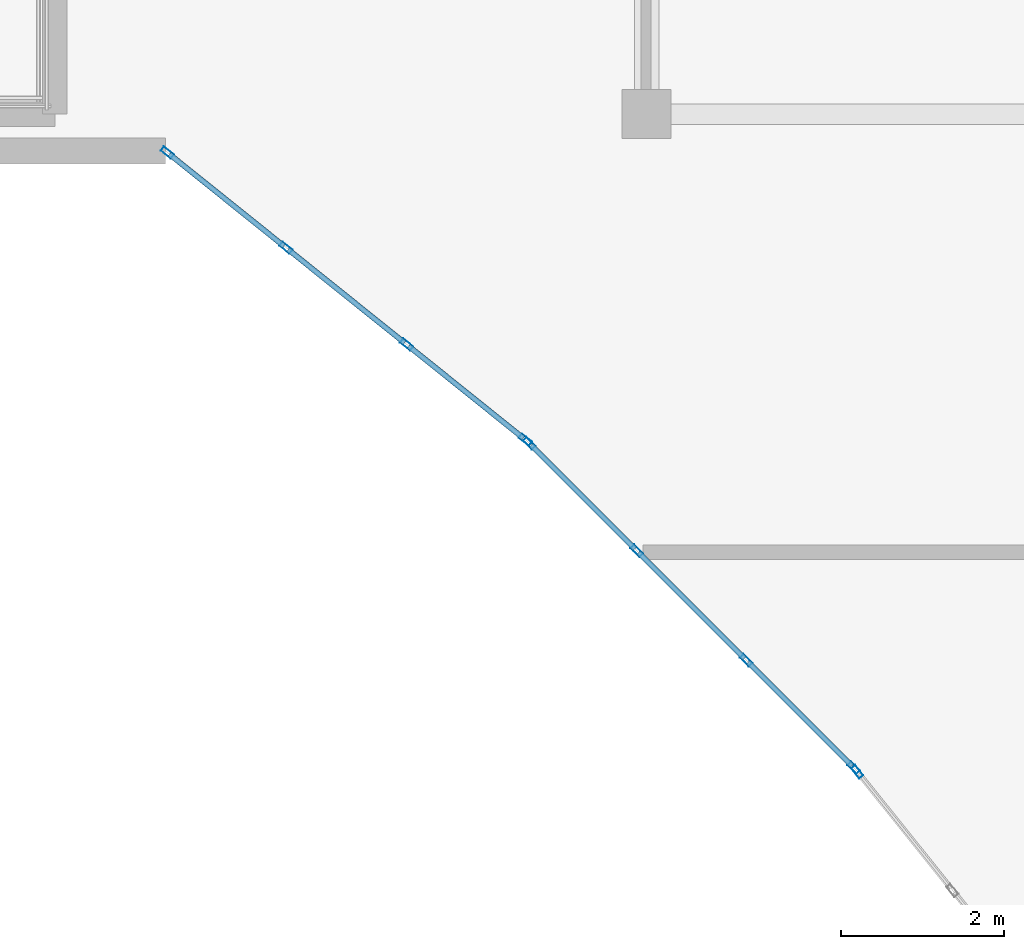
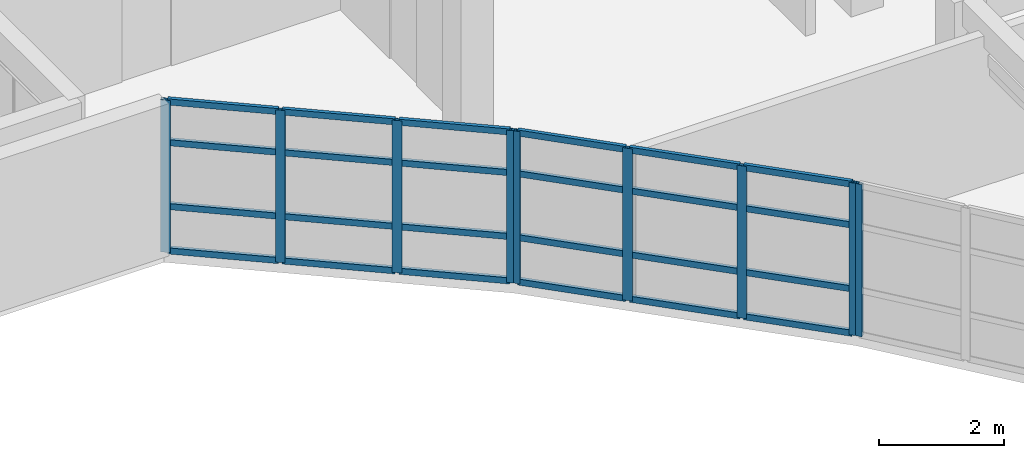
# One storey, part 18 of 71: 33 members, 3 elements without a shape of their own.
"""IFC4 building model written with IfcOpenShell, lengths in metres."""

from ifc_helpers import new_model, si_unit, direction, frame, origin, origin_2d, place, context, subcontext, project, spatial, hollow_rectangle, extrude, material, layer, layer_set, material_profile, profile_set, type_object, element, aggregate, save


model = new_model("IFC4")

# Units and contexts
model_context = context("Model", 3, precision=1e-05, world=origin(), true_north=direction((0.0, 1.0)))
body_context = subcontext(model_context, "Body", "Model", "MODEL_VIEW")
ifc_project = project(units=[si_unit("LENGTHUNIT", "METRE"), si_unit("AREAUNIT", "SQUARE_METRE"), si_unit("VOLUMEUNIT", "CUBIC_METRE"), si_unit("PLANEANGLEUNIT", "RADIAN"), si_unit("MASSUNIT", "GRAM", prefix="KILO")], contexts=[model_context])

# Site, building, storey
site_placement = place(None, origin())
site = spatial("IfcSite", under=ifc_project, at=site_placement, CompositionType="ELEMENT")
building_placement = place(site_placement, origin())
building = spatial("IfcBuilding", under=site, at=building_placement, Name="Keldmere Railside Commons", CompositionType="ELEMENT")
storey_placement = place(building_placement, frame((0.0, 0.0, 20.159912109375)))
storey = spatial("IfcBuildingStorey", under=building, at=storey_placement, Name="L06", CompositionType="ELEMENT", Elevation=20.159912109375)

# Curtain wall, members
ifc_material = material(Name="Thermally Broken Aluminium", Category="aluminium")
ifc_layer_1 = layer(ifc_material, 0.159912109375, Name="Court Chord Wintergarden CW 5400x2850")
ifc_layer_set_1 = layer_set([ifc_layer_1], Name="Thermally Broken Aluminium")
curtain_wall_type_1 = type_object("IfcCurtainWallType", Name="Court Chord Wintergarden CW 5400x2850", PredefinedType="NOTDEFINED", material=ifc_layer_set_1)
curtain_wall_1_placement = place(storey_placement, origin())
curtain_wall_1 = element("IfcCurtainWall", 1, at=curtain_wall_1_placement, inside=storey, type_object=curtain_wall_type_1, Name="CW-13 CW-L06-175", PredefinedType="NOTDEFINED")
ifc_material_profile_1 = material_profile(ifc_material, hollow_rectangle(XDim=0.06494140625, YDim=0.159912109375, WallThickness=0.00390625, at=origin_2d()), Name="ALU-MULL-65x160")
ifc_profile_set_1 = profile_set([ifc_material_profile_1], Name="Thermally Broken Aluminium")
member_type_1 = type_object("IfcMemberType", Name="Unitised Curtain Wall Mullion 65x160", PredefinedType="MULLION", material=ifc_profile_set_1)
member_1_placement = place(storey_placement, frame((160.404541015625, 96.46630859375, 0.0), z_axis=(0.0, 0.0, 1.0), x_axis=(-0.625768080915, -0.780009172323, 0.0)))
member_1 = element("IfcMember", 2, at=member_1_placement, type_object=member_type_1, Name="CW-13 mullion 1", PredefinedType="MULLION", context=body_context, shape_type="SweptSolid", body=[
    extrude(hollow_rectangle(XDim=0.06494140625, YDim=0.159912109375, WallThickness=0.00390625, at=origin_2d()), origin(), (0.0, 0.0, 1.0), 2.97998046875),
])
member_2_placement = place(storey_placement, frame((158.953369140625, 97.630615234375, 0.0), z_axis=(0.0, 0.0, 1.0), x_axis=(-0.625768080915, -0.780009172323, 0.0)))
member_2 = element("IfcMember", 3, at=member_2_placement, type_object=member_type_1, Name="CW-13 mullion 2", PredefinedType="MULLION", context=body_context, shape_type="SweptSolid", body=[
    extrude(hollow_rectangle(XDim=0.06494140625, YDim=0.159912109375, WallThickness=0.00390625, at=origin_2d()), origin(), (0.0, 0.0, 1.0), 2.97998046875),
])
member_3_placement = place(storey_placement, frame((157.4765625, 98.8154296875, 0.0), z_axis=(0.0, 0.0, 1.0), x_axis=(-0.625768080915, -0.780009172323, 0.0)))
member_3 = element("IfcMember", 4, at=member_3_placement, type_object=member_type_1, Name="CW-13 mullion 3", PredefinedType="MULLION", context=body_context, shape_type="SweptSolid", body=[
    extrude(hollow_rectangle(XDim=0.06494140625, YDim=0.159912109375, WallThickness=0.00390625, at=origin_2d()), origin(), (0.0, 0.0, 1.0), 2.97998046875),
])
member_4_placement = place(storey_placement, frame((156.025390625, 99.979736328125, 0.0), z_axis=(0.0, 0.0, 1.0), x_axis=(-0.625768080915, -0.780009172323, 0.0)))
member_4 = element("IfcMember", 5, at=member_4_placement, type_object=member_type_1, Name="CW-13 mullion 4", PredefinedType="MULLION", context=body_context, shape_type="SweptSolid", body=[
    extrude(hollow_rectangle(XDim=0.06494140625, YDim=0.159912109375, WallThickness=0.00390625, at=origin_2d()), origin(), (0.0, 0.0, 1.0), 2.97998046875),
])

ifc_layer_2 = layer(ifc_material, 0.159912109375, Name="Court Chord Wintergarden CW 4800x2850")
ifc_layer_set_2 = layer_set([ifc_layer_2], Name="Thermally Broken Aluminium")
curtain_wall_type_2 = type_object("IfcCurtainWallType", Name="Court Chord Wintergarden CW 4800x2850", PredefinedType="NOTDEFINED", material=ifc_layer_set_2)
curtain_wall_2_placement = place(storey_placement, origin())
curtain_wall_2 = element("IfcCurtainWall", 6, at=curtain_wall_2_placement, inside=storey, type_object=curtain_wall_type_2, Name="CW-12 CW-L06-176", PredefinedType="NOTDEFINED")
member_5_placement = place(storey_placement, frame((164.423095703125, 92.452880859375, 0.0), z_axis=(0.0, 0.0, 1.0), x_axis=(-0.707106781187, -0.707106781187, 0.0)))
member_5 = element("IfcMember", 7, at=member_5_placement, type_object=member_type_1, Name="CW-12 mullion 1", PredefinedType="MULLION", context=body_context, shape_type="SweptSolid", body=[
    extrude(hollow_rectangle(XDim=0.06494140625, YDim=0.159912109375, WallThickness=0.00390625, at=origin_2d()), origin(), (0.0, 0.0, 1.0), 2.97998046875),
])
member_6_placement = place(storey_placement, frame((163.107421875, 93.7685546875, 0.0), z_axis=(0.0, 0.0, 1.0), x_axis=(-0.707106781187, -0.707106781187, 0.0)))
member_6 = element("IfcMember", 8, at=member_6_placement, type_object=member_type_1, Name="CW-12 mullion 2", PredefinedType="MULLION", context=body_context, shape_type="SweptSolid", body=[
    extrude(hollow_rectangle(XDim=0.06494140625, YDim=0.159912109375, WallThickness=0.00390625, at=origin_2d()), origin(), (0.0, 0.0, 1.0), 2.97998046875),
])
member_7_placement = place(storey_placement, frame((161.7685546875, 95.107421875, 0.0), z_axis=(0.0, 0.0, 1.0), x_axis=(-0.707106781187, -0.707106781187, 0.0)))
member_7 = element("IfcMember", 9, at=member_7_placement, type_object=member_type_1, Name="CW-12 mullion 3", PredefinedType="MULLION", context=body_context, shape_type="SweptSolid", body=[
    extrude(hollow_rectangle(XDim=0.06494140625, YDim=0.159912109375, WallThickness=0.00390625, at=origin_2d()), origin(), (0.0, 0.0, 1.0), 2.97998046875),
])
member_8_placement = place(storey_placement, frame((160.452880859375, 96.423095703125, 0.0), z_axis=(0.0, 0.0, 1.0), x_axis=(-0.707106781187, -0.707106781187, 0.0)))
member_8 = element("IfcMember", 10, at=member_8_placement, type_object=member_type_1, Name="CW-12 mullion 4", PredefinedType="MULLION", context=body_context, shape_type="SweptSolid", body=[
    extrude(hollow_rectangle(XDim=0.06494140625, YDim=0.159912109375, WallThickness=0.00390625, at=origin_2d()), origin(), (0.0, 0.0, 1.0), 2.97998046875),
])

# Curtain wall, member
curtain_wall_3_placement = place(storey_placement, origin())
curtain_wall_3 = element("IfcCurtainWall", 11, at=curtain_wall_3_placement, inside=storey, type_object=curtain_wall_type_1, Name="CW-13 CW-L06-177", PredefinedType="NOTDEFINED")
member_9_placement = place(storey_placement, frame((164.46630859375, 92.404541015625, 0.0), z_axis=(0.0, 0.0, 1.0), x_axis=(-0.780009172323, -0.625768080915, 0.0)))
member_9 = element("IfcMember", 12, at=member_9_placement, type_object=member_type_1, Name="CW-13 mullion 4", PredefinedType="MULLION", context=body_context, shape_type="SweptSolid", body=[
    extrude(hollow_rectangle(XDim=0.06494140625, YDim=0.159912109375, WallThickness=0.00390625, at=origin_2d()), origin(), (0.0, 0.0, 1.0), 2.97998046875),
])
aggregate(curtain_wall_3, [member_9])

# Member
ifc_material_profile_2 = material_profile(ifc_material, hollow_rectangle(XDim=0.06494140625, YDim=0.1201171875, WallThickness=0.00390625, at=origin_2d()), Name="ALU-TRAN-65x120")
ifc_profile_set_2 = profile_set([ifc_material_profile_2], Name="Thermally Broken Aluminium")
member_type_2 = type_object("IfcMemberType", Name="Unitised Curtain Wall Transom 65x120", PredefinedType="USERDEFINED", material=ifc_profile_set_2)
member_10_placement = place(storey_placement, frame((160.37939453125, 96.486572265625, 0.032470703125), z_axis=(-0.779979331565, 0.625805275091, 0.0), x_axis=(-0.625805275091, -0.779979331565, 0.0)))
member_10 = element("IfcMember", 13, at=member_10_placement, type_object=member_type_2, Name="CW-13 transom 1.1", ObjectType="TRANSOM", PredefinedType="USERDEFINED", context=body_context, shape_type="SweptSolid", body=[
    extrude(hollow_rectangle(XDim=0.06494140625, YDim=0.1201171875, WallThickness=0.00390625, at=origin_2d()), origin(), (0.0, 0.0, 1.0), 1.795654296875),
])

member_11_placement = place(storey_placement, frame((160.37939453125, 96.486572265625, 0.900146484375), z_axis=(-0.779979331565, 0.625805275091, 0.0), x_axis=(-0.625805275091, -0.779979331565, 0.0)))
member_11 = element("IfcMember", 14, at=member_11_placement, type_object=member_type_2, Name="CW-13 transom 1.2", ObjectType="TRANSOM", PredefinedType="USERDEFINED", context=body_context, shape_type="SweptSolid", body=[
    extrude(hollow_rectangle(XDim=0.06494140625, YDim=0.1201171875, WallThickness=0.00390625, at=origin_2d()), origin(), (0.0, 0.0, 1.0), 1.795654296875),
])

member_12_placement = place(storey_placement, frame((160.37939453125, 96.486572265625, 2.150146484375), z_axis=(-0.779979331565, 0.625805275091, 0.0), x_axis=(-0.625805275091, -0.779979331565, 0.0)))
member_12 = element("IfcMember", 15, at=member_12_placement, type_object=member_type_2, Name="CW-13 transom 1.3", ObjectType="TRANSOM", PredefinedType="USERDEFINED", context=body_context, shape_type="SweptSolid", body=[
    extrude(hollow_rectangle(XDim=0.06494140625, YDim=0.1201171875, WallThickness=0.00390625, at=origin_2d()), origin(), (0.0, 0.0, 1.0), 1.795654296875),
])

member_13_placement = place(storey_placement, frame((160.37939453125, 96.486572265625, 2.947509765625), z_axis=(-0.779979331565, 0.625805275091, 0.0), x_axis=(-0.625805275091, -0.779979331565, 0.0)))
member_13 = element("IfcMember", 16, at=member_13_placement, type_object=member_type_2, Name="CW-13 transom 1.4", ObjectType="TRANSOM", PredefinedType="USERDEFINED", context=body_context, shape_type="SweptSolid", body=[
    extrude(hollow_rectangle(XDim=0.06494140625, YDim=0.1201171875, WallThickness=0.00390625, at=origin_2d()), origin(), (0.0, 0.0, 1.0), 1.795654296875),
])

member_14_placement = place(storey_placement, frame((158.927978515625, 97.651123046875, 0.032470703125), z_axis=(-0.78007338409, 0.625688033635, 0.0), x_axis=(-0.625688033635, -0.78007338409, 0.0)))
member_14 = element("IfcMember", 17, at=member_14_placement, type_object=member_type_2, Name="CW-13 transom 2.1", ObjectType="TRANSOM", PredefinedType="USERDEFINED", context=body_context, shape_type="SweptSolid", body=[
    extrude(hollow_rectangle(XDim=0.06494140625, YDim=0.1201171875, WallThickness=0.00390625, at=origin_2d()), origin(), (0.0, 0.0, 1.0), 1.828125),
])

member_15_placement = place(storey_placement, frame((158.927978515625, 97.651123046875, 0.900146484375), z_axis=(-0.78007338409, 0.625688033635, 0.0), x_axis=(-0.625688033635, -0.78007338409, 0.0)))
member_15 = element("IfcMember", 18, at=member_15_placement, type_object=member_type_2, Name="CW-13 transom 2.2", ObjectType="TRANSOM", PredefinedType="USERDEFINED", context=body_context, shape_type="SweptSolid", body=[
    extrude(hollow_rectangle(XDim=0.06494140625, YDim=0.1201171875, WallThickness=0.00390625, at=origin_2d()), origin(), (0.0, 0.0, 1.0), 1.828125),
])

member_16_placement = place(storey_placement, frame((158.927978515625, 97.651123046875, 2.150146484375), z_axis=(-0.78007338409, 0.625688033635, 0.0), x_axis=(-0.625688033635, -0.78007338409, 0.0)))
member_16 = element("IfcMember", 19, at=member_16_placement, type_object=member_type_2, Name="CW-13 transom 2.3", ObjectType="TRANSOM", PredefinedType="USERDEFINED", context=body_context, shape_type="SweptSolid", body=[
    extrude(hollow_rectangle(XDim=0.06494140625, YDim=0.1201171875, WallThickness=0.00390625, at=origin_2d()), origin(), (0.0, 0.0, 1.0), 1.828125),
])

member_17_placement = place(storey_placement, frame((158.927978515625, 97.651123046875, 2.947509765625), z_axis=(-0.78007338409, 0.625688033635, 0.0), x_axis=(-0.625688033635, -0.78007338409, 0.0)))
member_17 = element("IfcMember", 20, at=member_17_placement, type_object=member_type_2, Name="CW-13 transom 2.4", ObjectType="TRANSOM", PredefinedType="USERDEFINED", context=body_context, shape_type="SweptSolid", body=[
    extrude(hollow_rectangle(XDim=0.06494140625, YDim=0.1201171875, WallThickness=0.00390625, at=origin_2d()), origin(), (0.0, 0.0, 1.0), 1.828125),
])

member_18_placement = place(storey_placement, frame((157.451416015625, 98.835693359375, 0.032470703125), z_axis=(-0.780045694992, 0.625722553313, 0.0), x_axis=(-0.625722553313, -0.780045694992, 0.0)))
member_18 = element("IfcMember", 21, at=member_18_placement, type_object=member_type_2, Name="CW-13 transom 3.1", ObjectType="TRANSOM", PredefinedType="USERDEFINED", context=body_context, shape_type="SweptSolid", body=[
    extrude(hollow_rectangle(XDim=0.06494140625, YDim=0.1201171875, WallThickness=0.00390625, at=origin_2d()), origin(), (0.0, 0.0, 1.0), 1.795654296875),
])

member_19_placement = place(storey_placement, frame((157.451416015625, 98.835693359375, 0.900146484375), z_axis=(-0.780045694992, 0.625722553313, 0.0), x_axis=(-0.625722553313, -0.780045694992, 0.0)))
member_19 = element("IfcMember", 22, at=member_19_placement, type_object=member_type_2, Name="CW-13 transom 3.2", ObjectType="TRANSOM", PredefinedType="USERDEFINED", context=body_context, shape_type="SweptSolid", body=[
    extrude(hollow_rectangle(XDim=0.06494140625, YDim=0.1201171875, WallThickness=0.00390625, at=origin_2d()), origin(), (0.0, 0.0, 1.0), 1.795654296875),
])

member_20_placement = place(storey_placement, frame((157.451416015625, 98.835693359375, 2.150146484375), z_axis=(-0.780045694992, 0.625722553313, 0.0), x_axis=(-0.625722553313, -0.780045694992, 0.0)))
member_20 = element("IfcMember", 23, at=member_20_placement, type_object=member_type_2, Name="CW-13 transom 3.3", ObjectType="TRANSOM", PredefinedType="USERDEFINED", context=body_context, shape_type="SweptSolid", body=[
    extrude(hollow_rectangle(XDim=0.06494140625, YDim=0.1201171875, WallThickness=0.00390625, at=origin_2d()), origin(), (0.0, 0.0, 1.0), 1.795654296875),
])

member_21_placement = place(storey_placement, frame((157.451416015625, 98.835693359375, 2.947509765625), z_axis=(-0.780045694992, 0.625722553313, 0.0), x_axis=(-0.625722553313, -0.780045694992, 0.0)))
member_21 = element("IfcMember", 24, at=member_21_placement, type_object=member_type_2, Name="CW-13 transom 3.4", ObjectType="TRANSOM", PredefinedType="USERDEFINED", context=body_context, shape_type="SweptSolid", body=[
    extrude(hollow_rectangle(XDim=0.06494140625, YDim=0.1201171875, WallThickness=0.00390625, at=origin_2d()), origin(), (0.0, 0.0, 1.0), 1.795654296875),
])

aggregate(curtain_wall_1, [member_1, member_2, member_3, member_4, member_10, member_11, member_12, member_13, member_14, member_15, member_16, member_17, member_18, member_19, member_20, member_21])

member_22_placement = place(storey_placement, frame((164.400146484375, 92.47607421875, 0.032470703125), z_axis=(-0.707174762418, 0.707038793419, 0.0), x_axis=(-0.707038793419, -0.707174762418, 0.0)))
member_22 = element("IfcMember", 25, at=member_22_placement, type_object=member_type_2, Name="CW-12 transom 1.1", ObjectType="TRANSOM", PredefinedType="USERDEFINED", context=body_context, shape_type="SweptSolid", body=[
    extrude(hollow_rectangle(XDim=0.06494140625, YDim=0.1201171875, WallThickness=0.00390625, at=origin_2d()), origin(), (0.0, 0.0, 1.0), 1.795654296875),
])

member_23_placement = place(storey_placement, frame((164.400146484375, 92.47607421875, 0.900146484375), z_axis=(-0.707174762418, 0.707038793419, 0.0), x_axis=(-0.707038793419, -0.707174762418, 0.0)))
member_23 = element("IfcMember", 26, at=member_23_placement, type_object=member_type_2, Name="CW-12 transom 1.2", ObjectType="TRANSOM", PredefinedType="USERDEFINED", context=body_context, shape_type="SweptSolid", body=[
    extrude(hollow_rectangle(XDim=0.06494140625, YDim=0.1201171875, WallThickness=0.00390625, at=origin_2d()), origin(), (0.0, 0.0, 1.0), 1.795654296875),
])

member_24_placement = place(storey_placement, frame((164.400146484375, 92.47607421875, 2.150146484375), z_axis=(-0.707174762418, 0.707038793419, 0.0), x_axis=(-0.707038793419, -0.707174762418, 0.0)))
member_24 = element("IfcMember", 27, at=member_24_placement, type_object=member_type_2, Name="CW-12 transom 1.3", ObjectType="TRANSOM", PredefinedType="USERDEFINED", context=body_context, shape_type="SweptSolid", body=[
    extrude(hollow_rectangle(XDim=0.06494140625, YDim=0.1201171875, WallThickness=0.00390625, at=origin_2d()), origin(), (0.0, 0.0, 1.0), 1.795654296875),
])

member_25_placement = place(storey_placement, frame((164.400146484375, 92.47607421875, 2.947509765625), z_axis=(-0.707174762418, 0.707038793419, 0.0), x_axis=(-0.707038793419, -0.707174762418, 0.0)))
member_25 = element("IfcMember", 28, at=member_25_placement, type_object=member_type_2, Name="CW-12 transom 1.4", ObjectType="TRANSOM", PredefinedType="USERDEFINED", context=body_context, shape_type="SweptSolid", body=[
    extrude(hollow_rectangle(XDim=0.06494140625, YDim=0.1201171875, WallThickness=0.00390625, at=origin_2d()), origin(), (0.0, 0.0, 1.0), 1.795654296875),
])

member_26_placement = place(storey_placement, frame((163.08447265625, 93.791748046875, 0.032470703125), z_axis=(-0.707106781187, 0.707106781187, 0.0), x_axis=(-0.707106781187, -0.707106781187, 0.0)))
member_26 = element("IfcMember", 29, at=member_26_placement, type_object=member_type_2, Name="CW-12 transom 2.1", ObjectType="TRANSOM", PredefinedType="USERDEFINED", context=body_context, shape_type="SweptSolid", body=[
    extrude(hollow_rectangle(XDim=0.06494140625, YDim=0.1201171875, WallThickness=0.00390625, at=origin_2d()), origin(), (0.0, 0.0, 1.0), 1.828125),
])

member_27_placement = place(storey_placement, frame((163.08447265625, 93.791748046875, 0.900146484375), z_axis=(-0.707106781187, 0.707106781187, 0.0), x_axis=(-0.707106781187, -0.707106781187, 0.0)))
member_27 = element("IfcMember", 30, at=member_27_placement, type_object=member_type_2, Name="CW-12 transom 2.2", ObjectType="TRANSOM", PredefinedType="USERDEFINED", context=body_context, shape_type="SweptSolid", body=[
    extrude(hollow_rectangle(XDim=0.06494140625, YDim=0.1201171875, WallThickness=0.00390625, at=origin_2d()), origin(), (0.0, 0.0, 1.0), 1.828125),
])

member_28_placement = place(storey_placement, frame((163.08447265625, 93.791748046875, 2.150146484375), z_axis=(-0.707106781187, 0.707106781187, 0.0), x_axis=(-0.707106781187, -0.707106781187, 0.0)))
member_28 = element("IfcMember", 31, at=member_28_placement, type_object=member_type_2, Name="CW-12 transom 2.3", ObjectType="TRANSOM", PredefinedType="USERDEFINED", context=body_context, shape_type="SweptSolid", body=[
    extrude(hollow_rectangle(XDim=0.06494140625, YDim=0.1201171875, WallThickness=0.00390625, at=origin_2d()), origin(), (0.0, 0.0, 1.0), 1.828125),
])

member_29_placement = place(storey_placement, frame((163.08447265625, 93.791748046875, 2.947509765625), z_axis=(-0.707106781187, 0.707106781187, 0.0), x_axis=(-0.707106781187, -0.707106781187, 0.0)))
member_29 = element("IfcMember", 32, at=member_29_placement, type_object=member_type_2, Name="CW-12 transom 2.4", ObjectType="TRANSOM", PredefinedType="USERDEFINED", context=body_context, shape_type="SweptSolid", body=[
    extrude(hollow_rectangle(XDim=0.06494140625, YDim=0.1201171875, WallThickness=0.00390625, at=origin_2d()), origin(), (0.0, 0.0, 1.0), 1.828125),
])

member_30_placement = place(storey_placement, frame((161.74560546875, 95.13037109375, 0.032470703125), z_axis=(-0.707038793419, 0.707174762418, 0.0), x_axis=(-0.707174762418, -0.707038793419, 0.0)))
member_30 = element("IfcMember", 33, at=member_30_placement, type_object=member_type_2, Name="CW-12 transom 3.1", ObjectType="TRANSOM", PredefinedType="USERDEFINED", context=body_context, shape_type="SweptSolid", body=[
    extrude(hollow_rectangle(XDim=0.06494140625, YDim=0.1201171875, WallThickness=0.00390625, at=origin_2d()), origin(), (0.0, 0.0, 1.0), 1.795654296875),
])

member_31_placement = place(storey_placement, frame((161.74560546875, 95.13037109375, 0.900146484375), z_axis=(-0.707038793419, 0.707174762418, 0.0), x_axis=(-0.707174762418, -0.707038793419, 0.0)))
member_31 = element("IfcMember", 34, at=member_31_placement, type_object=member_type_2, Name="CW-12 transom 3.2", ObjectType="TRANSOM", PredefinedType="USERDEFINED", context=body_context, shape_type="SweptSolid", body=[
    extrude(hollow_rectangle(XDim=0.06494140625, YDim=0.1201171875, WallThickness=0.00390625, at=origin_2d()), origin(), (0.0, 0.0, 1.0), 1.795654296875),
])

member_32_placement = place(storey_placement, frame((161.74560546875, 95.13037109375, 2.150146484375), z_axis=(-0.707038793419, 0.707174762418, 0.0), x_axis=(-0.707174762418, -0.707038793419, 0.0)))
member_32 = element("IfcMember", 35, at=member_32_placement, type_object=member_type_2, Name="CW-12 transom 3.3", ObjectType="TRANSOM", PredefinedType="USERDEFINED", context=body_context, shape_type="SweptSolid", body=[
    extrude(hollow_rectangle(XDim=0.06494140625, YDim=0.1201171875, WallThickness=0.00390625, at=origin_2d()), origin(), (0.0, 0.0, 1.0), 1.795654296875),
])

member_33_placement = place(storey_placement, frame((161.74560546875, 95.13037109375, 2.947509765625), z_axis=(-0.707038793419, 0.707174762418, 0.0), x_axis=(-0.707174762418, -0.707038793419, 0.0)))
member_33 = element("IfcMember", 36, at=member_33_placement, type_object=member_type_2, Name="CW-12 transom 3.4", ObjectType="TRANSOM", PredefinedType="USERDEFINED", context=body_context, shape_type="SweptSolid", body=[
    extrude(hollow_rectangle(XDim=0.06494140625, YDim=0.1201171875, WallThickness=0.00390625, at=origin_2d()), origin(), (0.0, 0.0, 1.0), 1.795654296875),
])

aggregate(curtain_wall_2, [member_5, member_6, member_7, member_8, member_22, member_23, member_24, member_25, member_26, member_27, member_28, member_29, member_30, member_31, member_32, member_33])

save(model, "model.ifc")
